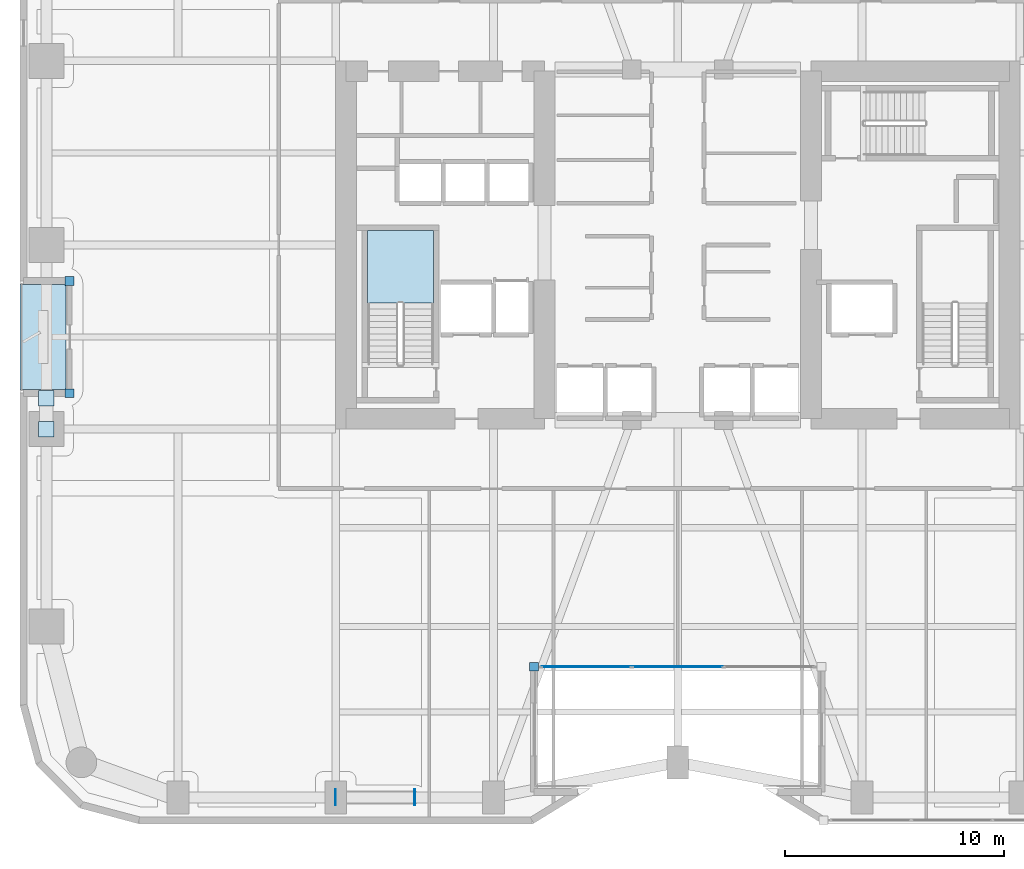
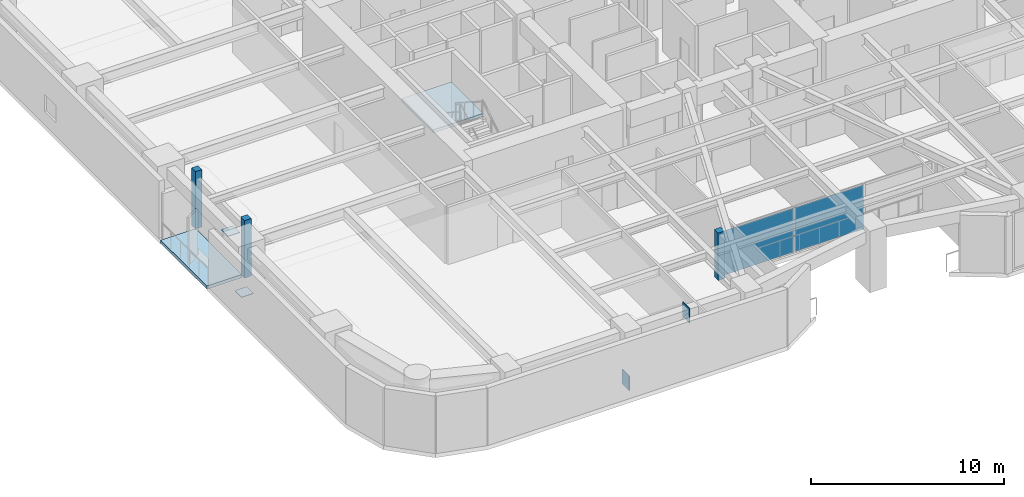
# One storey, part 15 of 26: 9 plates, 2 slabs, 2 elements without a shape of their own.
"""IFC4 building model written with IfcOpenShell, lengths in metres."""

from ifc_helpers import new_model, si_unit, direction, frame, origin, origin_2d, place, context, subcontext, project, spatial, polyline, rectangle, outline, extrude, material, layer, layer_set, type_object, element, aggregate, save


model = new_model("IFC4")

# Units and contexts
model_context = context("Model", 3, precision=1e-05, world=origin(), true_north=direction((0.0, 1.0)))
body_context = subcontext(model_context, "Body", "Model", "MODEL_VIEW")
ifc_project = project(units=[si_unit("LENGTHUNIT", "METRE"), si_unit("AREAUNIT", "SQUARE_METRE"), si_unit("VOLUMEUNIT", "CUBIC_METRE"), si_unit("PLANEANGLEUNIT", "RADIAN"), si_unit("MASSUNIT", "GRAM", prefix="KILO")], contexts=[model_context])

# Site, building, storey
site_placement = place(None, origin())
site = spatial("IfcSite", under=ifc_project, at=site_placement, CompositionType="ELEMENT")
building_placement = place(site_placement, origin())
building = spatial("IfcBuilding", under=site, at=building_placement, Name="Kiyonajd Concourse Tower", CompositionType="ELEMENT")
storey_placement = place(building_placement, frame((0.0, 0.0, 72.89990234375)))
storey = spatial("IfcBuildingStorey", under=building, at=storey_placement, Name="L19", CompositionType="ELEMENT", Elevation=72.89990234375)

# Plates
ifc_material_1 = material(Name="Steel ASTM A572 Grade 50", Category="steel")
ifc_layer_1 = layer(ifc_material_1, 0.028076171875)
ifc_layer_set_1 = layer_set([ifc_layer_1], Name="Steel ASTM A572 Grade 50")
plate_type_1 = type_object("IfcPlateType", Name="PL-CAP-450", PredefinedType="USERDEFINED", material=ifc_layer_set_1)
for number, where, z_axis, x_axis, name in (
    (1, (32.3916015625, 10.800048828125, -0.17333984375), (0.0, 0.0, 1.0), (-1.0, 0.0, 0.0), "L19 Hollow Brace End Cap Plate PBS"),
    (2, (36.008544921875, 10.800048828125, 2.83056640625), (0.0, 0.0, 1.0), (1.0, 0.0, 0.0), "L19 Hollow Brace Top Cap Plate PBS"),
):
    element("IfcPlate", number, at=place(storey_placement, frame(where, z_axis=z_axis, x_axis=x_axis)), inside=storey, type_object=plate_type_1, Name=name, ObjectType="CAP PLATE", PredefinedType="USERDEFINED", context=body_context, shape_type="SweptSolid", body=[
        extrude(rectangle(XDim=0.035888671875, YDim=0.72998046875, at=origin_2d()), origin(), (0.0, 0.0, 1.0), 0.93310546875),
    ])
for number, where, z_axis, x_axis, name in (
    (3, (19.199951171875, 27.59521484375, 0.27587890625), (0.0, 0.0, 1.0), (1.0, 0.0, 0.0), "L19 Hollow Brace End Cap Plate PBW"),
    (4, (19.199951171875, 29.004638671875, 3.2861328125), (0.0, 0.0, 1.0), (1.0, 0.0, 0.0), "L19 Hollow Brace Top Cap Plate PBW"),
):
    element("IfcPlate", number, at=place(storey_placement, frame(where, z_axis=z_axis, x_axis=x_axis)), inside=storey, type_object=plate_type_1, Name=name, ObjectType="CAP PLATE", PredefinedType="USERDEFINED", context=body_context, shape_type="SweptSolid", body=[
        extrude(rectangle(XDim=0.7099609375, YDim=0.7099609375, at=origin_2d()), origin(), (0.0, 0.0, 1.0), 0.028076171875),
    ])

# Curtain wall, plates
ifc_material_2 = material(Name="Thermally Broken Anodised Aluminium", Category="aluminium")
ifc_layer_2 = layer(ifc_material_2, 0.179931640625)
ifc_layer_set_2 = layer_set([ifc_layer_2], Name="Thermally Broken Anodised Aluminium")
curtain_wall_type = type_object("IfcCurtainWallType", Name="CW-SYS-02", PredefinedType="NOTDEFINED", material=ifc_layer_set_2)
curtain_wall_placement = place(storey_placement, origin())
curtain_wall = element("IfcCurtainWall", 5, at=curtain_wall_placement, inside=storey, type_object=curtain_wall_type, Name="L19 Unitised Curtain Wall CW2", PredefinedType="NOTDEFINED")
ifc_material_3 = material(Name="Double Low-E Insulated Glass", Category="glass")
ifc_layer_3 = layer(ifc_material_3, 0.028076171875)
ifc_layer_set_3 = layer_set([ifc_layer_3], Name="Double Low-E Insulated Glass")
plate_type_2 = type_object("IfcPlateType", Name="PL-CW-VIS28", PredefinedType="CURTAIN_PANEL", material=ifc_layer_set_3)
plate_1_placement = place(storey_placement, frame((48.0, 16.760009765625, 0.06494140625), z_axis=(0.0, 0.0, 1.0), x_axis=(-1.0, 0.0, 0.0)))
plate_1 = element("IfcPlate", 6, at=plate_1_placement, type_object=plate_type_2, Name="CW2 panel 2.1", PredefinedType="CURTAIN_PANEL", context=body_context, shape_type="SweptSolid", body=[
    extrude(rectangle(XDim=4.114990234375, YDim=0.028076171875, at=origin_2d()), origin(), (0.0, 0.0, 1.0), 2.800048828125),
])
plate_2_placement = place(storey_placement, frame((43.836181640625, 16.760009765625, 0.06494140625), z_axis=(0.0, 0.0, 1.0), x_axis=(-1.0, 0.0, 0.0)))
plate_2 = element("IfcPlate", 7, at=plate_2_placement, type_object=plate_type_2, Name="CW2 panel 3.1", PredefinedType="CURTAIN_PANEL", context=body_context, shape_type="SweptSolid", body=[
    extrude(rectangle(XDim=4.08251953125, YDim=0.028076171875, at=origin_2d()), origin(), (0.0, 0.0, 1.0), 2.800048828125),
])
aggregate(curtain_wall, [plate_1, plate_2])

# Plates
ifc_layer_4 = layer(ifc_material_2, 0.39990234375)
ifc_layer_set_4 = layer_set([ifc_layer_4], Name="Thermally Broken Anodised Aluminium")
plate_type_3 = type_object("IfcPlateType", Name="PL-JMB-400", PredefinedType="USERDEFINED", material=ifc_layer_set_4)
plate_3_placement = place(storey_placement, frame((41.43994140625, 16.760009765625, 0.000244140625), z_axis=(0.0, 0.0, 1.0), x_axis=(1.0, 0.0, 0.0)))
element("IfcPlate", 8, at=plate_3_placement, inside=storey, type_object=plate_type_3, Name="L19 Facade Jamb Closure Plate 08", ObjectType="JAMB PLATE", PredefinedType="USERDEFINED", context=body_context, shape_type="SweptSolid", body=[
    extrude(rectangle(XDim=0.39990234375, YDim=0.39990234375, at=origin_2d()), origin(), (0.0, 0.0, 1.0), 3.0029296875),
])
for number, where, z_axis, x_axis, name in (
    (9, (20.260009765625, 29.239990234375, 0.0), (0.0, 0.0, 1.0), (1.0, 0.0, 0.0), "L19 Facade Jamb Closure Plate 09"),
    (10, (20.260009765625, 34.360107421875, 0.0), (0.0, 0.0, 1.0), (1.0, 0.0, 0.0), "L19 Facade Jamb Closure Plate 10"),
):
    element("IfcPlate", number, at=place(storey_placement, frame(where, z_axis=z_axis, x_axis=x_axis)), inside=storey, type_object=plate_type_3, Name=name, ObjectType="JAMB PLATE", PredefinedType="USERDEFINED", context=body_context, shape_type="SweptSolid", body=[
        extrude(rectangle(XDim=0.39990234375, YDim=0.39990234375, at=origin_2d()), origin(), (0.0, 0.0, 1.0), 3.639892578125),
    ])

# Stair, slab
ifc_material_4 = material(Name="Concrete C40/50", Category="concrete")
stair_type = type_object("IfcStairType", Name="ST-DLG-22R", PredefinedType="HALF_TURN_STAIR", material=ifc_material_4)
stair_placement = place(storey_placement, origin())
stair = element("IfcStair", 11, at=stair_placement, inside=storey, type_object=stair_type, Name="L19 Protected Exit Stair ST1", PredefinedType="HALF_TURN_STAIR")
ifc_layer_5 = layer(ifc_material_4, 0.199951171875)
ifc_layer_set_5 = layer_set([ifc_layer_5], Name="Concrete C40/50")
slab_type_1 = type_object("IfcSlabType", Name="SL-LND-200", PredefinedType="LANDING", material=ifc_layer_set_5)
slab_1_placement = place(storey_placement, frame((0.0, 0.0, 1.75)))
slab_1 = element("IfcSlab", 12, at=slab_1_placement, type_object=slab_type_1, Name="ST1 landing 1", PredefinedType="LANDING", context=body_context, shape_type="SweptSolid", body=[
    extrude(outline(polyline([(36.85009765625, 33.35009765625), (36.85009765625, 36.64990234375), (33.85009765625, 36.64990234375), (33.85009765625, 33.35009765625), (36.85009765625, 33.35009765625)])), origin(), (0.0, 0.0, 1.0), 0.2001953125),
])
aggregate(stair, [slab_1])

# Slab
ifc_material_5 = material(Name="Precast concrete C50/60", Category="concrete")
ifc_layer_6 = layer(ifc_material_5, 0.199951171875)
ifc_layer_set_6 = layer_set([ifc_layer_6], Name="Precast concrete C50/60")
slab_type_2 = type_object("IfcSlabType", Name="SL-LOG-200", PredefinedType="FLOOR", material=ifc_layer_set_6)
slab_2_placement = place(storey_placement, frame((0.0, 0.0, -0.199951171875)))
element("IfcSlab", 13, at=slab_2_placement, inside=storey, type_object=slab_type_2, Name="L19 Recessed Engawa Loggia Terrace Slab LOG-W", PredefinedType="FLOOR", context=body_context, shape_type="SweptSolid", body=[
    extrude(outline(polyline([(18.0, 29.39990234375), (20.10009765625, 29.39990234375), (20.10009765625, 34.199951171875), (18.0, 34.199951171875), (18.0, 29.39990234375)])), origin(), (0.0, 0.0, 1.0), 0.199951171875),
])

save(model, "model.ifc")
